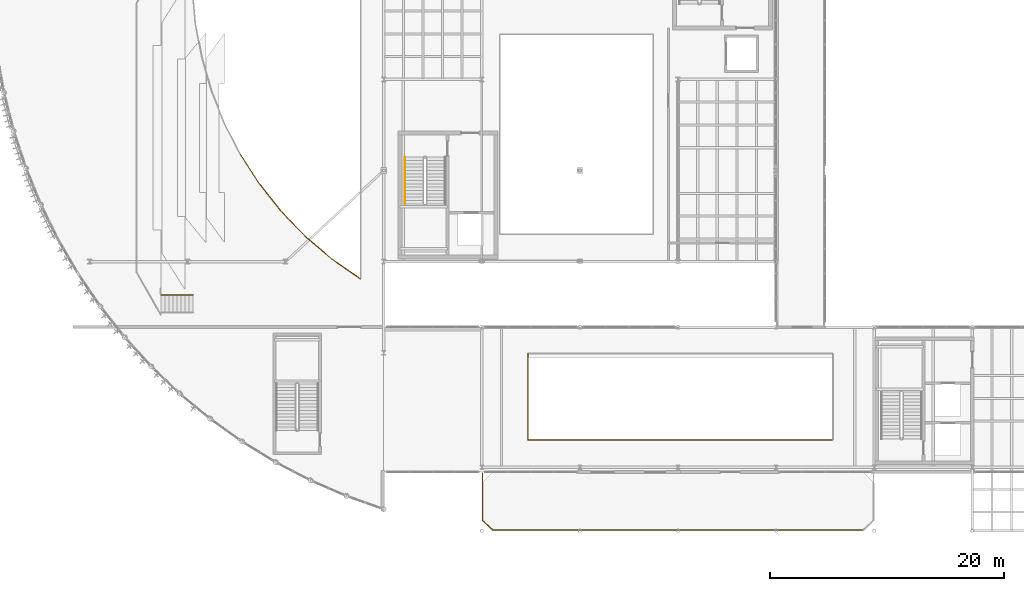
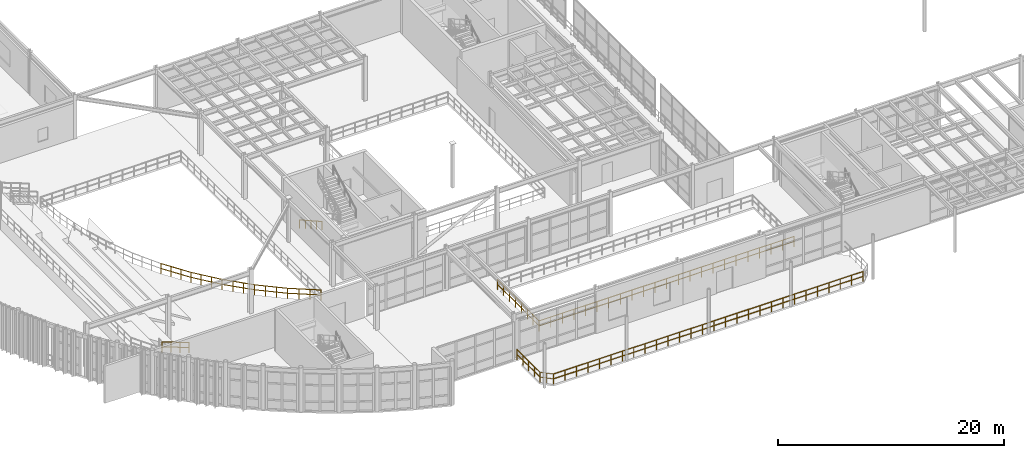
# One storey, part 107 of 116: 12 railings.
"""IFC4 building model written with IfcOpenShell, lengths in metres."""

import ifcopenshell
import ifcopenshell.guid

model = None  # the IFC model being written
_history = None  # IfcOwnerHistory: only IFC2X3 demands one
_inside = {}  # id of a spatial element -> (the spatial element, [elements in it])
_under = {}  # id of a project, library or spatial element -> (it, [spatial elements below it])
_declared = {}  # id of a project -> (the project, [libraries it declares])
_typed = {}  # id of a type object -> (the type object, [elements of that type])
_made_of = {}  # id of a material, layer set ... -> (it, [elements and type objects made of it])


def new_model(schema):
    """Start an empty IFC model of exactly this schema.

    Asked for "IFC4X3", IfcOpenShell would pick the latest addendum, in which some entities
    have other attributes; the version numbers below select the first issue.
    IFC2X3 requires an IfcOwnerHistory on every rooted entity: one is made here for all.
    """
    global model, _history
    if schema == "IFC4X3":
        model = ifcopenshell.file(schema_version=(4, 3, 0, 0))
    else:
        model = ifcopenshell.file(schema=schema)
    _inside.clear()
    _under.clear()
    _declared.clear()
    _typed.clear()
    _made_of.clear()
    _history = None
    if model.schema == "IFC2X3":
        org = make("IfcOrganization", Name="unknown")
        user = make(
            "IfcPersonAndOrganization",
            ThePerson=make("IfcPerson", FamilyName="unknown"),
            TheOrganization=org,
        )
        app = make(
            "IfcApplication",
            ApplicationDeveloper=org,
            Version="unknown",
            ApplicationFullName="unknown",
            ApplicationIdentifier="unknown",
        )
        _history = make(
            "IfcOwnerHistory",
            OwningUser=user,
            OwningApplication=app,
            ChangeAction="ADDED",
            CreationDate=0,
        )
    return model


def make(cls, **values):
    """One entity of the class cls with the attributes given. An attribute that is None is left unset."""
    return model.create_entity(
        cls, **{name: value for name, value in values.items() if value is not None}
    )


def rooted(cls, **values):
    """An entity with a GlobalId (a new one), such as an element, a storey or a relation."""
    return make(cls, GlobalId=ifcopenshell.guid.new(), OwnerHistory=_history, **values)


def si_unit(unit_type, name, prefix=None):
    """IfcSIUnit, for example si_unit("LENGTHUNIT", "METRE", prefix="MILLI")."""
    return make("IfcSIUnit", UnitType=unit_type, Prefix=prefix, Name=name)


def assignment(units):
    """IfcUnitAssignment: the units of a project."""
    return None if units is None else make("IfcUnitAssignment", Units=units)


def point(xyz):
    """IfcCartesianPoint."""
    return None if xyz is None else make("IfcCartesianPoint", Coordinates=xyz)


def direction(xyz):
    """IfcDirection."""
    return None if xyz is None else make("IfcDirection", DirectionRatios=xyz)


def frame(location, z_axis=None, x_axis=None):
    """IfcAxis2Placement3D, a coordinate frame: its origin and axes. An axis left out is left unset."""
    return make(
        "IfcAxis2Placement3D",
        Location=point(location),
        Axis=direction(z_axis),
        RefDirection=direction(x_axis),
    )


def frame_2d(location, x_axis=None):
    """IfcAxis2Placement2D, a coordinate frame in the plane: its origin and x axis."""
    return make(
        "IfcAxis2Placement2D", Location=point(location), RefDirection=direction(x_axis)
    )


def origin():
    """The frame at (0, 0, 0) with its axes left unset."""
    return frame((0.0, 0.0, 0.0))


def origin_2d():
    """The frame at (0, 0) in the plane with its x axis left unset."""
    return frame_2d((0.0, 0.0))


def place(relative_to, where):
    """IfcLocalPlacement: puts the frame where relative to a parent placement (None: the world)."""
    return make(
        "IfcLocalPlacement", PlacementRelTo=relative_to, RelativePlacement=where
    )


def context(
    kind, dimensions, precision=None, world=None, true_north=None, identifier=None
):
    """IfcGeometricRepresentationContext, for example the 3D "Model" context."""
    return make(
        "IfcGeometricRepresentationContext",
        ContextIdentifier=identifier,
        ContextType=kind,
        CoordinateSpaceDimension=dimensions,
        Precision=precision,
        WorldCoordinateSystem=world,
        TrueNorth=true_north,
    )


def subcontext(parent, identifier, kind, view, scale=None):
    """IfcGeometricRepresentationSubContext, for example "Body" below "Model"."""
    return make(
        "IfcGeometricRepresentationSubContext",
        ContextIdentifier=identifier,
        ContextType=kind,
        ParentContext=parent,
        TargetScale=scale,
        TargetView=view,
    )


def project(units=None, contexts=None):
    """IfcProject with its units and contexts."""
    return rooted(
        "IfcProject",
        Name="project",
        RepresentationContexts=contexts,
        UnitsInContext=assignment(units),
    )


def spatial(cls, under=None, at=None, **own):
    """A site, building, storey or space (cls), placed at a placement, below another one or the project."""
    s = rooted(cls, ObjectPlacement=at, **own)
    if under is not None:
        _under.setdefault(under.id(), (under, []))[1].append(s)
    return s


def profile(cls, at=None, kind="AREA", **sizes):
    """A parametric profile (cls). Its sizes go by their IFC names, for example OverallWidth=200.0."""
    return make(cls, ProfileType=kind, Position=at, **sizes)


def circle(**sizes):
    """IfcCircleProfileDef."""
    return profile("IfcCircleProfileDef", **sizes)


def extrude(swept, where, along, depth):
    """IfcExtrudedAreaSolid: the profile swept, set in the frame where, extruded along a direction by depth."""
    return make(
        "IfcExtrudedAreaSolid",
        SweptArea=swept,
        Position=where,
        ExtrudedDirection=direction(along),
        Depth=depth,
    )


def shape(context_of_items, identifier, shape_type, items):
    """IfcShapeRepresentation: the items that make up one representation, for example the "Body"."""
    return make(
        "IfcShapeRepresentation",
        ContextOfItems=context_of_items,
        RepresentationIdentifier=identifier,
        RepresentationType=shape_type,
        Items=items,
    )


def material(Name=None, Category=None):
    """IfcMaterial."""
    return make("IfcMaterial", Name=Name, Category=Category)


def layer(
    of_material, thickness, ventilated=None, Name=None, Category=None, Priority=None
):
    """IfcMaterialLayer: one layer of a wall or slab, of a material (None: an air gap)."""
    return make(
        "IfcMaterialLayer",
        Material=of_material,
        LayerThickness=thickness,
        IsVentilated=ventilated,
        Name=Name,
        Category=Category,
        Priority=Priority,
    )


def layer_set(layers, Name=None):
    """IfcMaterialLayerSet."""
    return make("IfcMaterialLayerSet", MaterialLayers=layers, LayerSetName=Name)


def made_of(thing, what):
    """Note that an element or type object is made of a material, layer set ...; save() writes the relation."""
    if what is not None:
        _made_of.setdefault(what.id(), (what, []))[1].append(thing)
    return thing


def type_object(cls, material=None, **own):
    """A type object (cls), such as IfcWallType, which elements share."""
    return made_of(rooted(cls, **own), material)


def element(
    cls,
    number,
    at=None,
    inside=None,
    cuts=None,
    type_object=None,
    material=None,
    context=None,
    identifier="Body",
    shape_type=None,
    held_by="IfcProductDefinitionShape",
    body=None,
    shapes=None,
    **own,
):
    """One element of the class cls, such as IfcWall. Its Tag is "e" and its number.

    at: its placement. inside: the storey or other place that contains it. cuts: it is an
    opening in that element (IfcRelVoidsElement). A single representation is given by context,
    identifier, shape_type and body (its items); several are given by shapes. held_by: the class
    of the entity that holds the representations. save() writes the other relations.
    """
    e = rooted(cls, Tag="e%d" % number, ObjectPlacement=at, **own)
    if body is not None:
        shapes = [shape(context, identifier, shape_type, body)]
    if shapes is not None:
        e.Representation = make(held_by, Representations=shapes)
    if inside is not None:
        _inside.setdefault(inside.id(), (inside, []))[1].append(e)
    if cuts is not None:
        rooted(
            "IfcRelVoidsElement", RelatingBuildingElement=cuts, RelatedOpeningElement=e
        )
    if type_object is not None:
        _typed.setdefault(type_object.id(), (type_object, []))[1].append(e)
    return made_of(e, material)


def aggregate(whole, parts):
    """IfcRelAggregates: a whole, such as a stair, and the parts it consists of."""
    return rooted("IfcRelAggregates", RelatingObject=whole, RelatedObjects=parts)


def save(model, path):
    """Write the relations noted so far, then the file.

    IfcRelAggregates (storeys below a building ...), IfcRelContainedInSpatialStructure (elements
    in a storey), IfcRelDefinesByType, IfcRelAssociatesMaterial and IfcRelDeclares: one each for
    every whole, place, type object, material and project.
    """
    for whole, parts in _under.values():
        aggregate(whole, parts)
    for where, things in _inside.values():
        rooted(
            "IfcRelContainedInSpatialStructure",
            RelatedElements=things,
            RelatingStructure=where,
        )
    for kind, things in _typed.values():
        rooted("IfcRelDefinesByType", RelatedObjects=things, RelatingType=kind)
    for what, things in _made_of.values():
        rooted("IfcRelAssociatesMaterial", RelatedObjects=things, RelatingMaterial=what)
    for by, libraries in _declared.values():
        rooted("IfcRelDeclares", RelatingContext=by, RelatedDefinitions=libraries)
    model.write(path)


model = new_model("IFC4")

# Units and contexts
model_context = context("Model", 3, precision=1e-05, world=origin(), true_north=direction((0.0, 1.0)))
body_context = subcontext(model_context, "Body", "Model", "MODEL_VIEW")
ifc_project = project(units=[si_unit("LENGTHUNIT", "METRE"), si_unit("AREAUNIT", "SQUARE_METRE"), si_unit("VOLUMEUNIT", "CUBIC_METRE"), si_unit("PLANEANGLEUNIT", "RADIAN"), si_unit("MASSUNIT", "GRAM", prefix="KILO")], contexts=[model_context])

# Site, building, storey
site_placement = place(None, origin())
site = spatial("IfcSite", under=ifc_project, at=site_placement, CompositionType="ELEMENT")
building_placement = place(site_placement, origin())
building = spatial("IfcBuilding", under=site, at=building_placement, Name="Selat Folded Stagehouse", CompositionType="ELEMENT")
storey_placement = place(building_placement, frame((0.0, 0.0, 5.39990234375)))
storey = spatial("IfcBuildingStorey", under=building, at=storey_placement, Name="L01", CompositionType="ELEMENT", Elevation=5.39990234375)

# Railings
ifc_material_1 = material(Name="Bronze-anodised steel balustrade", Category="steel")
ifc_layer_1 = layer(ifc_material_1, 0.06494140625)
ifc_layer_set_1 = layer_set([ifc_layer_1], Name="Bronze-anodised steel balustrade")
railing_type_1 = type_object("IfcRailingType", Name="RLG-BAL-1120", PredefinedType="BALUSTRADE", material=ifc_layer_set_1)
railing_1_placement = place(storey_placement, frame((45.949951171875, 8.14990234375, 0.0)))
element("IfcRailing", 1, at=railing_1_placement, inside=storey, type_object=railing_type_1, Name="L01 protective guard railing 034", PredefinedType="BALUSTRADE", context=body_context, shape_type="SweptSolid", body=[
    extrude(circle(Radius=0.02392578125, at=origin_2d()), frame((0.0, 0.0, 1.09619140625), z_axis=(1.0, 0.0, 0.0), x_axis=(0.0, 1.0, 0.0)), (0.0, 0.0, 1.0), 26.10009765625),
    extrude(circle(Radius=0.02392578125, at=origin_2d()), frame((0.0, 0.0, 0.56005859375), z_axis=(1.0, 0.0, 0.0), x_axis=(0.0, 1.0, 0.0)), (0.0, 0.0, 1.0), 26.10009765625),
    extrude(circle(Radius=0.02099609375, at=origin_2d()), origin(), (0.0, 0.0, 1.0), 1.072021484375),
    extrude(circle(Radius=0.02099609375, at=origin_2d()), frame((1.186279296875, 0.0, 0.0)), (0.0, 0.0, 1.0), 1.072021484375),
    extrude(circle(Radius=0.02099609375, at=origin_2d()), frame((2.372802734375, 0.0, 0.0)), (0.0, 0.0, 1.0), 1.072021484375),
    extrude(circle(Radius=0.02099609375, at=origin_2d()), frame((3.55908203125, 0.0, 0.0)), (0.0, 0.0, 1.0), 1.072021484375),
    extrude(circle(Radius=0.02099609375, at=origin_2d()), frame((4.745361328125, 0.0, 0.0)), (0.0, 0.0, 1.0), 1.072021484375),
    extrude(circle(Radius=0.02099609375, at=origin_2d()), frame((5.931884765625, 0.0, 0.0)), (0.0, 0.0, 1.0), 1.072021484375),
    extrude(circle(Radius=0.02099609375, at=origin_2d()), frame((7.1181640625, 0.0, 0.0)), (0.0, 0.0, 1.0), 1.072021484375),
    extrude(circle(Radius=0.02099609375, at=origin_2d()), frame((8.3046875, 0.0, 0.0)), (0.0, 0.0, 1.0), 1.072021484375),
    extrude(circle(Radius=0.02099609375, at=origin_2d()), frame((9.490966796875, 0.0, 0.0)), (0.0, 0.0, 1.0), 1.072021484375),
    extrude(circle(Radius=0.02099609375, at=origin_2d()), frame((10.67724609375, 0.0, 0.0)), (0.0, 0.0, 1.0), 1.072021484375),
    extrude(circle(Radius=0.02099609375, at=origin_2d()), frame((11.86376953125, 0.0, 0.0)), (0.0, 0.0, 1.0), 1.072021484375),
    extrude(circle(Radius=0.02099609375, at=origin_2d()), frame((13.050048828125, 0.0, 0.0)), (0.0, 0.0, 1.0), 1.072021484375),
    extrude(circle(Radius=0.02099609375, at=origin_2d()), frame((14.236328125, 0.0, 0.0)), (0.0, 0.0, 1.0), 1.072021484375),
    extrude(circle(Radius=0.02099609375, at=origin_2d()), frame((15.4228515625, 0.0, 0.0)), (0.0, 0.0, 1.0), 1.072021484375),
    extrude(circle(Radius=0.02099609375, at=origin_2d()), frame((16.609130859375, 0.0, 0.0)), (0.0, 0.0, 1.0), 1.072021484375),
    extrude(circle(Radius=0.02099609375, at=origin_2d()), frame((17.79541015625, 0.0, 0.0)), (0.0, 0.0, 1.0), 1.072021484375),
    extrude(circle(Radius=0.02099609375, at=origin_2d()), frame((18.98193359375, 0.0, 0.0)), (0.0, 0.0, 1.0), 1.072021484375),
    extrude(circle(Radius=0.02099609375, at=origin_2d()), frame((20.168212890625, 0.0, 0.0)), (0.0, 0.0, 1.0), 1.072021484375),
    extrude(circle(Radius=0.02099609375, at=origin_2d()), frame((21.354736328125, 0.0, 0.0)), (0.0, 0.0, 1.0), 1.072021484375),
    extrude(circle(Radius=0.02099609375, at=origin_2d()), frame((22.541015625, 0.0, 0.0)), (0.0, 0.0, 1.0), 1.072021484375),
    extrude(circle(Radius=0.02099609375, at=origin_2d()), frame((23.727294921875, 0.0, 0.0)), (0.0, 0.0, 1.0), 1.072021484375),
    extrude(circle(Radius=0.02099609375, at=origin_2d()), frame((24.913818359375, 0.0, 0.0)), (0.0, 0.0, 1.0), 1.072021484375),
    extrude(circle(Radius=0.02099609375, at=origin_2d()), frame((26.10009765625, 0.0, 0.0)), (0.0, 0.0, 1.0), 1.072021484375),
])
railing_2_placement = place(storey_placement, frame((45.949951171875, 15.52001953125, 0.0)))
element("IfcRailing", 2, at=railing_2_placement, inside=storey, type_object=railing_type_1, Name="L01 protective guard railing 037", PredefinedType="BALUSTRADE", context=body_context, shape_type="SweptSolid", body=[
    extrude(circle(Radius=0.02392578125, at=origin_2d()), frame((0.0, 0.0, 1.09619140625), z_axis=(0.0, -1.0, 0.0), x_axis=(1.0, 0.0, 0.0)), (0.0, 0.0, 1.0), 7.3701171875),
    extrude(circle(Radius=0.02392578125, at=origin_2d()), frame((0.0, 0.0, 0.56005859375), z_axis=(0.0, -1.0, 0.0), x_axis=(1.0, 0.0, 0.0)), (0.0, 0.0, 1.0), 7.3701171875),
    extrude(circle(Radius=0.02099609375, at=origin_2d()), origin(), (0.0, 0.0, 1.0), 1.072021484375),
    extrude(circle(Radius=0.02099609375, at=origin_2d()), frame((0.0, -1.052978515625, 0.0)), (0.0, 0.0, 1.0), 1.072021484375),
    extrude(circle(Radius=0.02099609375, at=origin_2d()), frame((0.0, -2.105712890625, 0.0)), (0.0, 0.0, 1.0), 1.072021484375),
    extrude(circle(Radius=0.02099609375, at=origin_2d()), frame((0.0, -3.15869140625, 0.0)), (0.0, 0.0, 1.0), 1.072021484375),
    extrude(circle(Radius=0.02099609375, at=origin_2d()), frame((0.0, -4.21142578125, 0.0)), (0.0, 0.0, 1.0), 1.072021484375),
    extrude(circle(Radius=0.02099609375, at=origin_2d()), frame((0.0, -5.264404296875, 0.0)), (0.0, 0.0, 1.0), 1.072021484375),
    extrude(circle(Radius=0.02099609375, at=origin_2d()), frame((0.0, -6.317138671875, 0.0)), (0.0, 0.0, 1.0), 1.072021484375),
    extrude(circle(Radius=0.02099609375, at=origin_2d()), frame((0.0, -7.3701171875, 0.0)), (0.0, 0.0, 1.0), 1.072021484375),
])
railing_3_placement = place(storey_placement, frame((31.60009765625, 21.92919921875, 0.0)))
element("IfcRailing", 3, at=railing_3_placement, inside=storey, type_object=railing_type_1, Name="L01 protective guard railing 075", PredefinedType="BALUSTRADE", context=body_context, shape_type="SweptSolid", body=[
    extrude(circle(Radius=0.02392578125, at=origin_2d()), frame((0.0, 0.0, 1.09619140625), z_axis=(-0.819615639565, 0.572913783549, 0.0), x_axis=(-0.572913783549, -0.819615639565, 0.0)), (0.0, 0.0, 1.0), 2.987548828125),
    extrude(circle(Radius=0.02392578125, at=origin_2d()), frame((0.0, 0.0, 0.56005859375), z_axis=(-0.819615639565, 0.572913783549, 0.0), x_axis=(-0.572913783549, -0.819615639565, 0.0)), (0.0, 0.0, 1.0), 2.987548828125),
    extrude(circle(Radius=0.02099609375, at=origin_2d()), origin(), (0.0, 0.0, 1.0), 1.072021484375),
    extrude(circle(Radius=0.02099609375, at=origin_2d()), frame((-0.816162109375, 0.570556640625, 0.0)), (0.0, 0.0, 1.0), 1.072021484375),
    extrude(circle(Radius=0.02099609375, at=origin_2d()), frame((-1.632568359375, 1.14111328125, 0.0)), (0.0, 0.0, 1.0), 1.072021484375),
    extrude(circle(Radius=0.02099609375, at=origin_2d()), frame((-2.44873046875, 1.711669921875, 0.0)), (0.0, 0.0, 1.0), 1.072021484375),
])
railing_4_placement = place(storey_placement, frame((29.1513671875, 23.640869140625, 0.0)))
element("IfcRailing", 4, at=railing_4_placement, inside=storey, type_object=railing_type_1, Name="L01 protective guard railing 076", PredefinedType="BALUSTRADE", context=body_context, shape_type="SweptSolid", body=[
    extrude(circle(Radius=0.02392578125, at=origin_2d()), frame((0.0, 0.0, 1.09619140625), z_axis=(-0.760305564825, 0.649565584137, 0.0), x_axis=(-0.649565584137, -0.760305564825, 0.0)), (0.0, 0.0, 1.0), 2.9873046875),
    extrude(circle(Radius=0.02392578125, at=origin_2d()), frame((0.0, 0.0, 0.56005859375), z_axis=(-0.760305564825, 0.649565584137, 0.0), x_axis=(-0.649565584137, -0.760305564825, 0.0)), (0.0, 0.0, 1.0), 2.9873046875),
    extrude(circle(Radius=0.02099609375, at=origin_2d()), origin(), (0.0, 0.0, 1.0), 1.072021484375),
    extrude(circle(Radius=0.02099609375, at=origin_2d()), frame((-0.757080078125, 0.646728515625, 0.0)), (0.0, 0.0, 1.0), 1.072021484375),
    extrude(circle(Radius=0.02099609375, at=origin_2d()), frame((-1.51416015625, 1.293701171875, 0.0)), (0.0, 0.0, 1.0), 1.072021484375),
    extrude(circle(Radius=0.02099609375, at=origin_2d()), frame((-2.271240234375, 1.9404296875, 0.0)), (0.0, 0.0, 1.0), 1.072021484375),
])
railing_5_placement = place(storey_placement, frame((26.880126953125, 25.581298828125, 0.0)))
element("IfcRailing", 5, at=railing_5_placement, inside=storey, type_object=railing_type_1, Name="L01 protective guard railing 077", PredefinedType="BALUSTRADE", context=body_context, shape_type="SweptSolid", body=[
    extrude(circle(Radius=0.02392578125, at=origin_2d()), frame((0.0, 0.0, 1.09619140625), z_axis=(-0.693743760733, 0.72022190639, 0.0), x_axis=(-0.72022190639, -0.693743760733, 0.0)), (0.0, 0.0, 1.0), 2.987548828125),
    extrude(circle(Radius=0.02392578125, at=origin_2d()), frame((0.0, 0.0, 0.56005859375), z_axis=(-0.693743760733, 0.72022190639, 0.0), x_axis=(-0.72022190639, -0.693743760733, 0.0)), (0.0, 0.0, 1.0), 2.987548828125),
    extrude(circle(Radius=0.02099609375, at=origin_2d()), origin(), (0.0, 0.0, 1.0), 1.072021484375),
    extrude(circle(Radius=0.02099609375, at=origin_2d()), frame((-0.69091796875, 0.71728515625, 0.0)), (0.0, 0.0, 1.0), 1.072021484375),
    extrude(circle(Radius=0.02099609375, at=origin_2d()), frame((-1.381591796875, 1.434326171875, 0.0)), (0.0, 0.0, 1.0), 1.072021484375),
    extrude(circle(Radius=0.02099609375, at=origin_2d()), frame((-2.072509765625, 2.151611328125, 0.0)), (0.0, 0.0, 1.0), 1.072021484375),
])
railing_6_placement = place(storey_placement, frame((24.8076171875, 27.73291015625, 0.0)))
element("IfcRailing", 6, at=railing_6_placement, inside=storey, type_object=railing_type_1, Name="L01 protective guard railing 078", PredefinedType="BALUSTRADE", context=body_context, shape_type="SweptSolid", body=[
    extrude(circle(Radius=0.02392578125, at=origin_2d()), frame((0.0, 0.0, 1.09619140625), z_axis=(-0.62069038485, 0.784055767248, 0.0), x_axis=(-0.784055767248, -0.62069038485, 0.0)), (0.0, 0.0, 1.0), 2.9873046875),
    extrude(circle(Radius=0.02392578125, at=origin_2d()), frame((0.0, 0.0, 0.56005859375), z_axis=(-0.62069038485, 0.784055767248, 0.0), x_axis=(-0.784055767248, -0.62069038485, 0.0)), (0.0, 0.0, 1.0), 2.9873046875),
    extrude(circle(Radius=0.02099609375, at=origin_2d()), origin(), (0.0, 0.0, 1.0), 1.072021484375),
    extrude(circle(Radius=0.02099609375, at=origin_2d()), frame((-0.6181640625, 0.78076171875, 0.0)), (0.0, 0.0, 1.0), 1.072021484375),
    extrude(circle(Radius=0.02099609375, at=origin_2d()), frame((-1.236083984375, 1.5615234375, 0.0)), (0.0, 0.0, 1.0), 1.072021484375),
    extrude(circle(Radius=0.02099609375, at=origin_2d()), frame((-1.854248046875, 2.34228515625, 0.0)), (0.0, 0.0, 1.0), 1.072021484375),
])
railing_7_placement = place(storey_placement, frame((22.953369140625, 30.0751953125, 0.0)))
element("IfcRailing", 7, at=railing_7_placement, inside=storey, type_object=railing_type_1, Name="L01 protective guard railing 079", PredefinedType="BALUSTRADE", context=body_context, shape_type="SweptSolid", body=[
    extrude(circle(Radius=0.02392578125, at=origin_2d()), frame((0.0, 0.0, 1.09619140625), z_axis=(-0.541847612214, 0.840476748719, 0.0), x_axis=(-0.840476748719, -0.541847612214, 0.0)), (0.0, 0.0, 1.0), 2.9873046875),
    extrude(circle(Radius=0.02392578125, at=origin_2d()), frame((0.0, 0.0, 0.56005859375), z_axis=(-0.541847612214, 0.840476748719, 0.0), x_axis=(-0.840476748719, -0.541847612214, 0.0)), (0.0, 0.0, 1.0), 2.9873046875),
    extrude(circle(Radius=0.02099609375, at=origin_2d()), origin(), (0.0, 0.0, 1.0), 1.072021484375),
    extrude(circle(Radius=0.02099609375, at=origin_2d()), frame((-0.53955078125, 0.8369140625, 0.0)), (0.0, 0.0, 1.0), 1.072021484375),
    extrude(circle(Radius=0.02099609375, at=origin_2d()), frame((-1.0791015625, 1.673828125, 0.0)), (0.0, 0.0, 1.0), 1.072021484375),
    extrude(circle(Radius=0.02099609375, at=origin_2d()), frame((-1.61865234375, 2.5107421875, 0.0)), (0.0, 0.0, 1.0), 1.072021484375),
])
railing_8_placement = place(storey_placement, frame((17.280029296875, 20.5400390625, 0.16015625)))
element("IfcRailing", 8, at=railing_8_placement, inside=storey, type_object=railing_type_1, Name="L01 aisle stair balustrade STA-MT-L01-S-N", PredefinedType="BALUSTRADE", context=body_context, shape_type="SweptSolid", body=[
    extrude(circle(Radius=0.02392578125, at=origin_2d()), frame((0.0, 0.0, 1.09619140625), z_axis=(-0.934093173048, 0.0, 0.357029332219), x_axis=(0.0, -1.0, 0.0)), (0.0, 0.0, 1.0), 2.954833984375),
    extrude(circle(Radius=0.02392578125, at=origin_2d()), frame((0.0, 0.0, 0.56005859375), z_axis=(-0.934093173048, 0.0, 0.357029332219), x_axis=(0.0, -1.0, 0.0)), (0.0, 0.0, 1.0), 2.954833984375),
    extrude(circle(Radius=0.02099609375, at=origin_2d()), origin(), (0.0, 0.0, 1.0), 1.072021484375),
    extrude(circle(Radius=0.02099609375, at=origin_2d()), frame((-0.919921875, 0.0, 0.3515625)), (0.0, 0.0, 1.0), 1.072021484375),
    extrude(circle(Radius=0.02099609375, at=origin_2d()), frame((-1.840087890625, 0.0, 0.703369140625)), (0.0, 0.0, 1.0), 1.072021484375),
    extrude(circle(Radius=0.02099609375, at=origin_2d()), frame((-2.760009765625, 0.0, 1.054931640625)), (0.0, 0.0, 1.0), 1.072021484375),
])
ifc_material_2 = material(Name="Stainless steel and laminated glass", Category="steel")
ifc_layer_2 = layer(ifc_material_2, 0.06005859375)
ifc_layer_set_2 = layer_set([ifc_layer_2], Name="Stainless steel and laminated glass")
railing_type_2 = type_object("IfcRailingType", Name="RLG-GUARD-1100", PredefinedType="GUARDRAIL", material=ifc_layer_set_2)
railing_9_placement = place(storey_placement, frame((42.050048828125, 5.300048828125, 0.0)))
element("IfcRailing", 9, at=railing_9_placement, inside=storey, type_object=railing_type_2, Name="L01 protective guard railing 001", PredefinedType="GUARDRAIL", context=body_context, shape_type="SweptSolid", body=[
    extrude(circle(Radius=0.02392578125, at=origin_2d()), frame((0.0, 0.0, 1.076171875), z_axis=(0.0, -1.0, 0.0), x_axis=(1.0, 0.0, 0.0)), (0.0, 0.0, 1.0), 4.050048828125),
    extrude(circle(Radius=0.02392578125, at=origin_2d()), frame((0.0, 0.0, 0.550048828125), z_axis=(0.0, -1.0, 0.0), x_axis=(1.0, 0.0, 0.0)), (0.0, 0.0, 1.0), 4.050048828125),
    extrude(circle(Radius=0.02099609375, at=origin_2d()), origin(), (0.0, 0.0, 1.0), 1.052001953125),
    extrude(circle(Radius=0.02099609375, at=origin_2d()), frame((0.0, -1.012451171875, 0.0)), (0.0, 0.0, 1.0), 1.052001953125),
    extrude(circle(Radius=0.02099609375, at=origin_2d()), frame((0.0, -2.02490234375, 0.0)), (0.0, 0.0, 1.0), 1.052001953125),
    extrude(circle(Radius=0.02099609375, at=origin_2d()), frame((0.0, -3.03759765625, 0.0)), (0.0, 0.0, 1.0), 1.052001953125),
    extrude(circle(Radius=0.02099609375, at=origin_2d()), frame((0.0, -4.050048828125, 0.0)), (0.0, 0.0, 1.0), 1.052001953125),
])
railing_10_placement = place(storey_placement, frame((42.050048828125, 1.25, 0.0)))
element("IfcRailing", 10, at=railing_10_placement, inside=storey, type_object=railing_type_2, Name="L01 protective guard railing 002", PredefinedType="GUARDRAIL", context=body_context, shape_type="SweptSolid", body=[
    extrude(circle(Radius=0.02392578125, at=origin_2d()), frame((0.0, 0.0, 1.076171875), z_axis=(0.735048047992, -0.678015019851, 0.0), x_axis=(0.678015019851, 0.735048047992, 0.0)), (0.0, 0.0, 1.0), 1.224365234375),
    extrude(circle(Radius=0.02392578125, at=origin_2d()), frame((0.0, 0.0, 0.550048828125), z_axis=(0.735048047992, -0.678015019851, 0.0), x_axis=(0.678015019851, 0.735048047992, 0.0)), (0.0, 0.0, 1.0), 1.224365234375),
    extrude(circle(Radius=0.02099609375, at=origin_2d()), origin(), (0.0, 0.0, 1.0), 1.052001953125),
    extrude(circle(Radius=0.02099609375, at=origin_2d()), frame((0.449951171875, -0.4150390625, 0.0)), (0.0, 0.0, 1.0), 1.052001953125),
    extrude(circle(Radius=0.02099609375, at=origin_2d()), frame((0.89990234375, -0.830078125, 0.0)), (0.0, 0.0, 1.0), 1.052001953125),
])
railing_11_placement = place(storey_placement, frame((42.949951171875, 0.419921875, 0.0)))
element("IfcRailing", 11, at=railing_11_placement, inside=storey, type_object=railing_type_2, Name="L01 protective guard railing 003", PredefinedType="GUARDRAIL", context=body_context, shape_type="SweptSolid", body=[
    extrude(circle(Radius=0.02392578125, at=origin_2d()), frame((0.0, 0.0, 1.076171875), z_axis=(1.0, 0.0, 0.0), x_axis=(0.0, 1.0, 0.0)), (0.0, 0.0, 1.0), 31.699951171875),
    extrude(circle(Radius=0.02392578125, at=origin_2d()), frame((0.0, 0.0, 0.550048828125), z_axis=(1.0, 0.0, 0.0), x_axis=(0.0, 1.0, 0.0)), (0.0, 0.0, 1.0), 31.699951171875),
    extrude(circle(Radius=0.02099609375, at=origin_2d()), origin(), (0.0, 0.0, 1.0), 1.052001953125),
    extrude(circle(Radius=0.02099609375, at=origin_2d()), frame((1.174072265625, 0.0, 0.0)), (0.0, 0.0, 1.0), 1.052001953125),
    extrude(circle(Radius=0.02099609375, at=origin_2d()), frame((2.34814453125, 0.0, 0.0)), (0.0, 0.0, 1.0), 1.052001953125),
    extrude(circle(Radius=0.02099609375, at=origin_2d()), frame((3.522216796875, 0.0, 0.0)), (0.0, 0.0, 1.0), 1.052001953125),
    extrude(circle(Radius=0.02099609375, at=origin_2d()), frame((4.6962890625, 0.0, 0.0)), (0.0, 0.0, 1.0), 1.052001953125),
    extrude(circle(Radius=0.02099609375, at=origin_2d()), frame((5.870361328125, 0.0, 0.0)), (0.0, 0.0, 1.0), 1.052001953125),
    extrude(circle(Radius=0.02099609375, at=origin_2d()), frame((7.04443359375, 0.0, 0.0)), (0.0, 0.0, 1.0), 1.052001953125),
    extrude(circle(Radius=0.02099609375, at=origin_2d()), frame((8.218505859375, 0.0, 0.0)), (0.0, 0.0, 1.0), 1.052001953125),
    extrude(circle(Radius=0.02099609375, at=origin_2d()), frame((9.392578125, 0.0, 0.0)), (0.0, 0.0, 1.0), 1.052001953125),
    extrude(circle(Radius=0.02099609375, at=origin_2d()), frame((10.566650390625, 0.0, 0.0)), (0.0, 0.0, 1.0), 1.052001953125),
    extrude(circle(Radius=0.02099609375, at=origin_2d()), frame((11.74072265625, 0.0, 0.0)), (0.0, 0.0, 1.0), 1.052001953125),
    extrude(circle(Radius=0.02099609375, at=origin_2d()), frame((12.914794921875, 0.0, 0.0)), (0.0, 0.0, 1.0), 1.052001953125),
    extrude(circle(Radius=0.02099609375, at=origin_2d()), frame((14.0888671875, 0.0, 0.0)), (0.0, 0.0, 1.0), 1.052001953125),
    extrude(circle(Radius=0.02099609375, at=origin_2d()), frame((15.262939453125, 0.0, 0.0)), (0.0, 0.0, 1.0), 1.052001953125),
    extrude(circle(Radius=0.02099609375, at=origin_2d()), frame((16.43701171875, 0.0, 0.0)), (0.0, 0.0, 1.0), 1.052001953125),
    extrude(circle(Radius=0.02099609375, at=origin_2d()), frame((17.611083984375, 0.0, 0.0)), (0.0, 0.0, 1.0), 1.052001953125),
    extrude(circle(Radius=0.02099609375, at=origin_2d()), frame((18.78515625, 0.0, 0.0)), (0.0, 0.0, 1.0), 1.052001953125),
    extrude(circle(Radius=0.02099609375, at=origin_2d()), frame((19.959228515625, 0.0, 0.0)), (0.0, 0.0, 1.0), 1.052001953125),
    extrude(circle(Radius=0.02099609375, at=origin_2d()), frame((21.13330078125, 0.0, 0.0)), (0.0, 0.0, 1.0), 1.052001953125),
    extrude(circle(Radius=0.02099609375, at=origin_2d()), frame((22.307373046875, 0.0, 0.0)), (0.0, 0.0, 1.0), 1.052001953125),
    extrude(circle(Radius=0.02099609375, at=origin_2d()), frame((23.4814453125, 0.0, 0.0)), (0.0, 0.0, 1.0), 1.052001953125),
    extrude(circle(Radius=0.02099609375, at=origin_2d()), frame((24.655517578125, 0.0, 0.0)), (0.0, 0.0, 1.0), 1.052001953125),
    extrude(circle(Radius=0.02099609375, at=origin_2d()), frame((25.82958984375, 0.0, 0.0)), (0.0, 0.0, 1.0), 1.052001953125),
    extrude(circle(Radius=0.02099609375, at=origin_2d()), frame((27.003662109375, 0.0, 0.0)), (0.0, 0.0, 1.0), 1.052001953125),
    extrude(circle(Radius=0.02099609375, at=origin_2d()), frame((28.177734375, 0.0, 0.0)), (0.0, 0.0, 1.0), 1.052001953125),
    extrude(circle(Radius=0.02099609375, at=origin_2d()), frame((29.351806640625, 0.0, 0.0)), (0.0, 0.0, 1.0), 1.052001953125),
    extrude(circle(Radius=0.02099609375, at=origin_2d()), frame((30.52587890625, 0.0, 0.0)), (0.0, 0.0, 1.0), 1.052001953125),
    extrude(circle(Radius=0.02099609375, at=origin_2d()), frame((31.699951171875, 0.0, 0.0)), (0.0, 0.0, 1.0), 1.052001953125),
])
ifc_material_3 = material(Name="Brushed stainless steel 1.4301", Category="steel")
ifc_layer_3 = layer(ifc_material_3, 0.048095703125)
ifc_layer_set_3 = layer_set([ifc_layer_3], Name="Brushed stainless steel 1.4301")
railing_type_3 = type_object("IfcRailingType", Name="RLG-HANDRAIL-900", PredefinedType="HANDRAIL", material=ifc_layer_set_3)
railing_12_placement = place(storey_placement, frame((35.409912109375, 32.340087890625, 0.16015625)))
element("IfcRailing", 12, at=railing_12_placement, inside=storey, type_object=railing_type_3, Name="L01 ST-01 wall handrail 1", PredefinedType="HANDRAIL", context=body_context, shape_type="SweptSolid", body=[
    extrude(circle(Radius=0.02392578125, at=origin_2d()), frame((0.0, 0.0, 0.8759765625), z_axis=(0.0, -0.871984184956, 0.489534044972), x_axis=(1.0, 0.0, 0.0)), (0.0, 0.0, 1.0), 4.57568359375),
    extrude(circle(Radius=0.02099609375, at=origin_2d()), origin(), (0.0, 0.0, 1.0), 0.851806640625),
    extrude(circle(Radius=0.02099609375, at=origin_2d()), frame((0.0, -0.99755859375, 0.56005859375)), (0.0, 0.0, 1.0), 0.851806640625),
    extrude(circle(Radius=0.02099609375, at=origin_2d()), frame((0.0, -1.9951171875, 1.1201171875)), (0.0, 0.0, 1.0), 0.851806640625),
    extrude(circle(Radius=0.02099609375, at=origin_2d()), frame((0.0, -2.992431640625, 1.679931640625)), (0.0, 0.0, 1.0), 0.851806640625),
    extrude(circle(Radius=0.02099609375, at=origin_2d()), frame((0.0, -3.989990234375, 2.239990234375)), (0.0, 0.0, 1.0), 0.851806640625),
])

save(model, "model.ifc")
